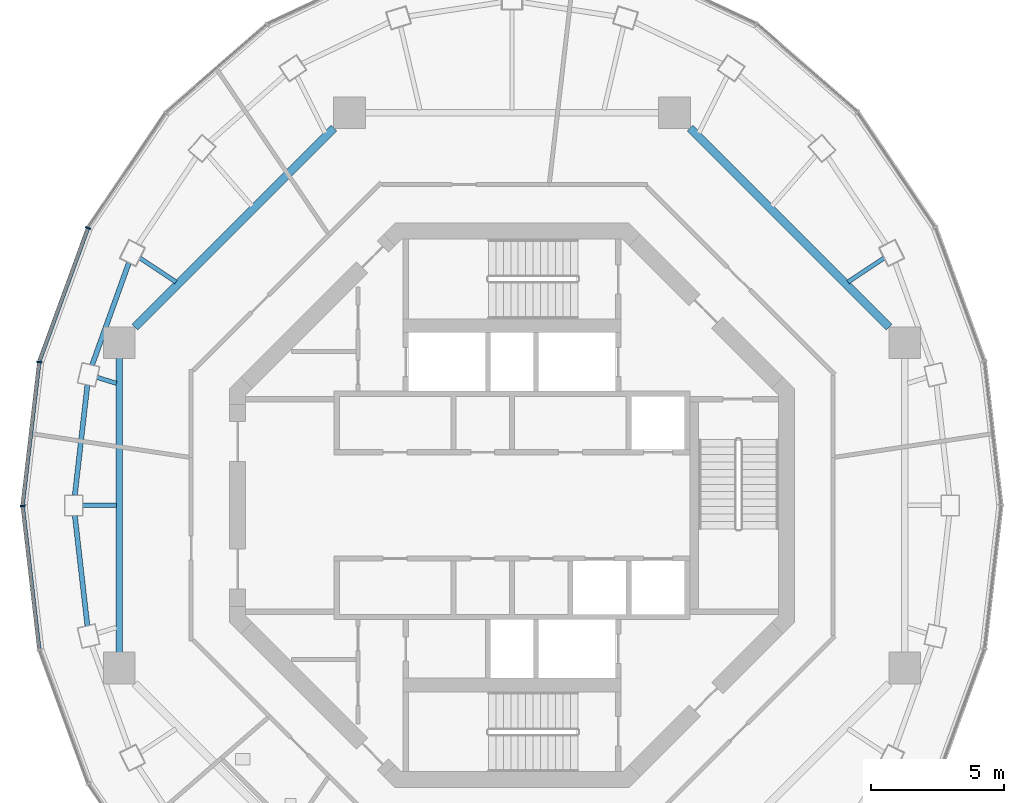
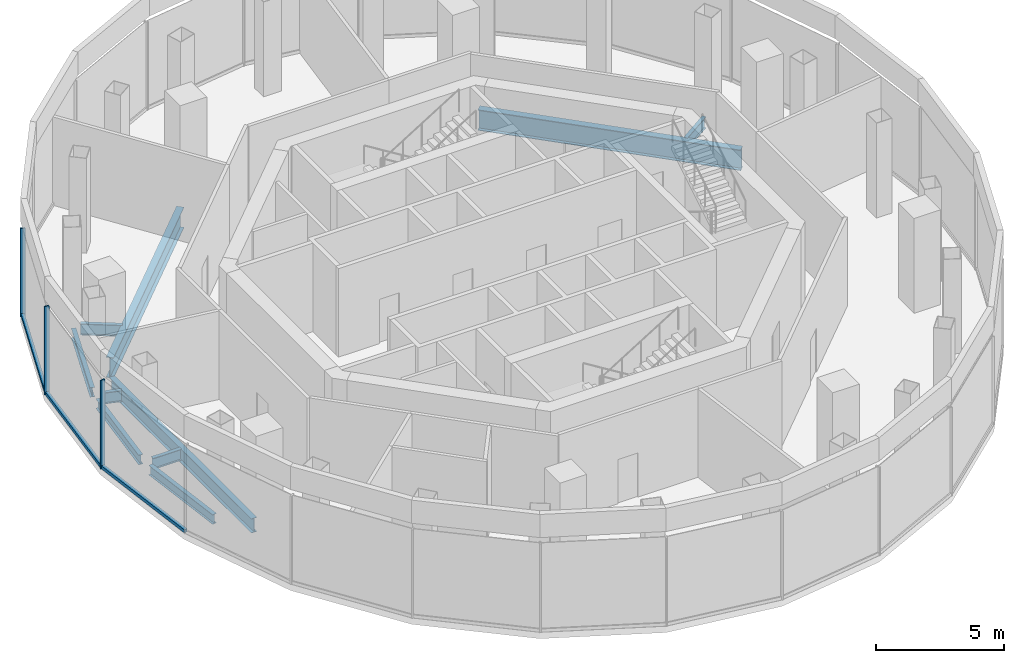
# One storey, part 3 of 11: 10 beams, 6 members, 3 elements without a shape of their own.
"""IFC4 building model written with IfcOpenShell, lengths in metres."""

import ifcopenshell
import ifcopenshell.guid

model = None  # the IFC model being written
_history = None  # IfcOwnerHistory: only IFC2X3 demands one
_inside = {}  # id of a spatial element -> (the spatial element, [elements in it])
_under = {}  # id of a project, library or spatial element -> (it, [spatial elements below it])
_declared = {}  # id of a project -> (the project, [libraries it declares])
_typed = {}  # id of a type object -> (the type object, [elements of that type])
_made_of = {}  # id of a material, layer set ... -> (it, [elements and type objects made of it])


def new_model(schema):
    """Start an empty IFC model of exactly this schema.

    Asked for "IFC4X3", IfcOpenShell would pick the latest addendum, in which some entities
    have other attributes; the version numbers below select the first issue.
    IFC2X3 requires an IfcOwnerHistory on every rooted entity: one is made here for all.
    """
    global model, _history
    if schema == "IFC4X3":
        model = ifcopenshell.file(schema_version=(4, 3, 0, 0))
    else:
        model = ifcopenshell.file(schema=schema)
    _inside.clear()
    _under.clear()
    _declared.clear()
    _typed.clear()
    _made_of.clear()
    _history = None
    if model.schema == "IFC2X3":
        org = make("IfcOrganization", Name="unknown")
        user = make(
            "IfcPersonAndOrganization",
            ThePerson=make("IfcPerson", FamilyName="unknown"),
            TheOrganization=org,
        )
        app = make(
            "IfcApplication",
            ApplicationDeveloper=org,
            Version="unknown",
            ApplicationFullName="unknown",
            ApplicationIdentifier="unknown",
        )
        _history = make(
            "IfcOwnerHistory",
            OwningUser=user,
            OwningApplication=app,
            ChangeAction="ADDED",
            CreationDate=0,
        )
    return model


def make(cls, **values):
    """One entity of the class cls with the attributes given. An attribute that is None is left unset."""
    return model.create_entity(
        cls, **{name: value for name, value in values.items() if value is not None}
    )


def rooted(cls, **values):
    """An entity with a GlobalId (a new one), such as an element, a storey or a relation."""
    return make(cls, GlobalId=ifcopenshell.guid.new(), OwnerHistory=_history, **values)


def si_unit(unit_type, name, prefix=None):
    """IfcSIUnit, for example si_unit("LENGTHUNIT", "METRE", prefix="MILLI")."""
    return make("IfcSIUnit", UnitType=unit_type, Prefix=prefix, Name=name)


def assignment(units):
    """IfcUnitAssignment: the units of a project."""
    return None if units is None else make("IfcUnitAssignment", Units=units)


def point(xyz):
    """IfcCartesianPoint."""
    return None if xyz is None else make("IfcCartesianPoint", Coordinates=xyz)


def direction(xyz):
    """IfcDirection."""
    return None if xyz is None else make("IfcDirection", DirectionRatios=xyz)


def frame(location, z_axis=None, x_axis=None):
    """IfcAxis2Placement3D, a coordinate frame: its origin and axes. An axis left out is left unset."""
    return make(
        "IfcAxis2Placement3D",
        Location=point(location),
        Axis=direction(z_axis),
        RefDirection=direction(x_axis),
    )


def frame_2d(location, x_axis=None):
    """IfcAxis2Placement2D, a coordinate frame in the plane: its origin and x axis."""
    return make(
        "IfcAxis2Placement2D", Location=point(location), RefDirection=direction(x_axis)
    )


def origin():
    """The frame at (0, 0, 0) with its axes left unset."""
    return frame((0.0, 0.0, 0.0))


def origin_2d():
    """The frame at (0, 0) in the plane with its x axis left unset."""
    return frame_2d((0.0, 0.0))


def place(relative_to, where):
    """IfcLocalPlacement: puts the frame where relative to a parent placement (None: the world)."""
    return make(
        "IfcLocalPlacement", PlacementRelTo=relative_to, RelativePlacement=where
    )


def context(
    kind, dimensions, precision=None, world=None, true_north=None, identifier=None
):
    """IfcGeometricRepresentationContext, for example the 3D "Model" context."""
    return make(
        "IfcGeometricRepresentationContext",
        ContextIdentifier=identifier,
        ContextType=kind,
        CoordinateSpaceDimension=dimensions,
        Precision=precision,
        WorldCoordinateSystem=world,
        TrueNorth=true_north,
    )


def subcontext(parent, identifier, kind, view, scale=None):
    """IfcGeometricRepresentationSubContext, for example "Body" below "Model"."""
    return make(
        "IfcGeometricRepresentationSubContext",
        ContextIdentifier=identifier,
        ContextType=kind,
        ParentContext=parent,
        TargetScale=scale,
        TargetView=view,
    )


def project(units=None, contexts=None):
    """IfcProject with its units and contexts."""
    return rooted(
        "IfcProject",
        Name="project",
        RepresentationContexts=contexts,
        UnitsInContext=assignment(units),
    )


def spatial(cls, under=None, at=None, **own):
    """A site, building, storey or space (cls), placed at a placement, below another one or the project."""
    s = rooted(cls, ObjectPlacement=at, **own)
    if under is not None:
        _under.setdefault(under.id(), (under, []))[1].append(s)
    return s


def profile(cls, at=None, kind="AREA", **sizes):
    """A parametric profile (cls). Its sizes go by their IFC names, for example OverallWidth=200.0."""
    return make(cls, ProfileType=kind, Position=at, **sizes)


def rectangle(**sizes):
    """IfcRectangleProfileDef."""
    return profile("IfcRectangleProfileDef", **sizes)


def i_section(**sizes):
    """IfcIShapeProfileDef."""
    return profile("IfcIShapeProfileDef", **sizes)


def extrude(swept, where, along, depth):
    """IfcExtrudedAreaSolid: the profile swept, set in the frame where, extruded along a direction by depth."""
    return make(
        "IfcExtrudedAreaSolid",
        SweptArea=swept,
        Position=where,
        ExtrudedDirection=direction(along),
        Depth=depth,
    )


def shape(context_of_items, identifier, shape_type, items):
    """IfcShapeRepresentation: the items that make up one representation, for example the "Body"."""
    return make(
        "IfcShapeRepresentation",
        ContextOfItems=context_of_items,
        RepresentationIdentifier=identifier,
        RepresentationType=shape_type,
        Items=items,
    )


def material(Name=None, Category=None):
    """IfcMaterial."""
    return make("IfcMaterial", Name=Name, Category=Category)


def layer(
    of_material, thickness, ventilated=None, Name=None, Category=None, Priority=None
):
    """IfcMaterialLayer: one layer of a wall or slab, of a material (None: an air gap)."""
    return make(
        "IfcMaterialLayer",
        Material=of_material,
        LayerThickness=thickness,
        IsVentilated=ventilated,
        Name=Name,
        Category=Category,
        Priority=Priority,
    )


def layer_set(layers, Name=None):
    """IfcMaterialLayerSet."""
    return make("IfcMaterialLayerSet", MaterialLayers=layers, LayerSetName=Name)


def material_profile(
    of_material, cross_section, Name=None, Category=None, Priority=None
):
    """IfcMaterialProfile: a cross section and its material."""
    return make(
        "IfcMaterialProfile",
        Name=Name,
        Material=of_material,
        Profile=cross_section,
        Priority=Priority,
        Category=Category,
    )


def profile_set(profiles, Name=None, composite=None):
    """IfcMaterialProfileSet."""
    return make(
        "IfcMaterialProfileSet",
        Name=Name,
        MaterialProfiles=profiles,
        CompositeProfile=composite,
    )


def made_of(thing, what):
    """Note that an element or type object is made of a material, layer set ...; save() writes the relation."""
    if what is not None:
        _made_of.setdefault(what.id(), (what, []))[1].append(thing)
    return thing


def type_object(cls, material=None, **own):
    """A type object (cls), such as IfcWallType, which elements share."""
    return made_of(rooted(cls, **own), material)


def element(
    cls,
    number,
    at=None,
    inside=None,
    cuts=None,
    type_object=None,
    material=None,
    context=None,
    identifier="Body",
    shape_type=None,
    held_by="IfcProductDefinitionShape",
    body=None,
    shapes=None,
    **own,
):
    """One element of the class cls, such as IfcWall. Its Tag is "e" and its number.

    at: its placement. inside: the storey or other place that contains it. cuts: it is an
    opening in that element (IfcRelVoidsElement). A single representation is given by context,
    identifier, shape_type and body (its items); several are given by shapes. held_by: the class
    of the entity that holds the representations. save() writes the other relations.
    """
    e = rooted(cls, Tag="e%d" % number, ObjectPlacement=at, **own)
    if body is not None:
        shapes = [shape(context, identifier, shape_type, body)]
    if shapes is not None:
        e.Representation = make(held_by, Representations=shapes)
    if inside is not None:
        _inside.setdefault(inside.id(), (inside, []))[1].append(e)
    if cuts is not None:
        rooted(
            "IfcRelVoidsElement", RelatingBuildingElement=cuts, RelatedOpeningElement=e
        )
    if type_object is not None:
        _typed.setdefault(type_object.id(), (type_object, []))[1].append(e)
    return made_of(e, material)


def aggregate(whole, parts):
    """IfcRelAggregates: a whole, such as a stair, and the parts it consists of."""
    return rooted("IfcRelAggregates", RelatingObject=whole, RelatedObjects=parts)


def save(model, path):
    """Write the relations noted so far, then the file.

    IfcRelAggregates (storeys below a building ...), IfcRelContainedInSpatialStructure (elements
    in a storey), IfcRelDefinesByType, IfcRelAssociatesMaterial and IfcRelDeclares: one each for
    every whole, place, type object, material and project.
    """
    for whole, parts in _under.values():
        aggregate(whole, parts)
    for where, things in _inside.values():
        rooted(
            "IfcRelContainedInSpatialStructure",
            RelatedElements=things,
            RelatingStructure=where,
        )
    for kind, things in _typed.values():
        rooted("IfcRelDefinesByType", RelatedObjects=things, RelatingType=kind)
    for what, things in _made_of.values():
        rooted("IfcRelAssociatesMaterial", RelatedObjects=things, RelatingMaterial=what)
    for by, libraries in _declared.values():
        rooted("IfcRelDeclares", RelatingContext=by, RelatedDefinitions=libraries)
    model.write(path)


model = new_model("IFC4")

# Units and contexts
model_context = context("Model", 3, precision=1e-05, world=origin(), true_north=direction((0.0, 1.0)))
body_context = subcontext(model_context, "Body", "Model", "MODEL_VIEW")
ifc_project = project(units=[si_unit("LENGTHUNIT", "METRE"), si_unit("AREAUNIT", "SQUARE_METRE"), si_unit("VOLUMEUNIT", "CUBIC_METRE"), si_unit("PLANEANGLEUNIT", "RADIAN"), si_unit("MASSUNIT", "GRAM", prefix="KILO")], contexts=[model_context])

# Site, building, storey
site_placement = place(None, origin())
site = spatial("IfcSite", under=ifc_project, at=site_placement, CompositionType="ELEMENT")
building_placement = place(site_placement, origin())
building = spatial("IfcBuilding", under=site, at=building_placement, Name="Nagisa Residences", CompositionType="ELEMENT")
storey_placement = place(building_placement, frame((0.0, 0.0, 320.39990234375)))
storey = spatial("IfcBuildingStorey", under=building, at=storey_placement, Name="L79", CompositionType="ELEMENT", Elevation=320.39990234375)

# Curtain wall, member
ifc_material_1 = material(Name="Aluminium curtain wall system", Category="aluminium")
ifc_layer = layer(ifc_material_1, 0.159912109375)
ifc_layer_set = layer_set([ifc_layer], Name="CW4 CURTAIN WALL")
curtain_wall_type = type_object("IfcCurtainWallType", Name="CW4 CURTAIN WALL", PredefinedType="NOTDEFINED", material=ifc_layer_set)
curtain_wall_1_placement = place(storey_placement, origin())
curtain_wall_1 = element("IfcCurtainWall", 1, at=curtain_wall_1_placement, inside=storey, type_object=curtain_wall_type, Name="cw:CW4:L79:10", PredefinedType="NOTDEFINED")
ifc_material_2 = material(Name="Aluminium", Category="aluminium")
ifc_material_profile_1 = material_profile(ifc_material_2, rectangle(XDim=0.199951171875, YDim=0.06005859375, at=origin_2d()), Name="CW4 MULLION 200x60")
ifc_profile_set_1 = profile_set([ifc_material_profile_1], Name="Aluminium")
member_type_1 = type_object("IfcMemberType", Name="CW4 MULLION 200x60", PredefinedType="MULLION", material=ifc_profile_set_1)
member_1_placement = place(storey_placement, frame((-15.95654296875, 10.4443359375, 0.0), z_axis=(0.0, 0.0, 1.0), x_axis=(0.939410855128, -0.342793298167, 0.0)))
member_1 = element("IfcMember", 2, at=member_1_placement, type_object=member_type_1, Name="CW4 mullion", PredefinedType="MULLION", context=body_context, shape_type="SweptSolid", body=[
    extrude(rectangle(XDim=0.199951171875, YDim=0.06005859375, at=origin_2d()), origin(), (0.0, 0.0, 1.0), 4.2001953125),
])

curtain_wall_2_placement = place(storey_placement, origin())
curtain_wall_2 = element("IfcCurtainWall", 3, at=curtain_wall_2_placement, inside=storey, type_object=curtain_wall_type, Name="cw:CW4:L79:11", PredefinedType="NOTDEFINED")
member_2_placement = place(storey_placement, frame((-17.793701171875, 5.396240234375, 0.0), z_axis=(0.0, 0.0, 1.0), x_axis=(0.993341467827, -0.115207327437, 0.0)))
member_2 = element("IfcMember", 4, at=member_2_placement, type_object=member_type_1, Name="CW4 mullion", PredefinedType="MULLION", context=body_context, shape_type="SweptSolid", body=[
    extrude(rectangle(XDim=0.199951171875, YDim=0.06005859375, at=origin_2d()), origin(), (0.0, 0.0, 1.0), 4.2001953125),
])

curtain_wall_3_placement = place(storey_placement, origin())
curtain_wall_3 = element("IfcCurtainWall", 5, at=curtain_wall_3_placement, inside=storey, type_object=curtain_wall_type, Name="cw:CW4:L79:12", PredefinedType="NOTDEFINED")
member_3_placement = place(storey_placement, frame((-18.4169921875, -0.0205078125, 0.0), z_axis=(0.0, 0.0, 1.0), x_axis=(0.993341467827, 0.115207327437, 0.0)))
member_3 = element("IfcMember", 6, at=member_3_placement, type_object=member_type_1, Name="CW4 mullion", PredefinedType="MULLION", context=body_context, shape_type="SweptSolid", body=[
    extrude(rectangle(XDim=0.199951171875, YDim=0.06005859375, at=origin_2d()), origin(), (0.0, 0.0, 1.0), 4.2001953125),
])

# Member
ifc_material_3 = material(Name="Aluminium", Category="aluminium")
ifc_material_profile_2 = material_profile(ifc_material_3, rectangle(XDim=0.139892578125, YDim=0.14990234375, at=origin_2d()), Name="CW4 TRANSOM 140x150")
ifc_profile_set_2 = profile_set([ifc_material_profile_2], Name="Aluminium")
member_type_2 = type_object("IfcMemberType", Name="CW4 TRANSOM 140x150", PredefinedType="USERDEFINED", material=ifc_profile_set_2)
member_4_placement = place(storey_placement, frame((-15.9462890625, 10.47265625, 0.0751953125), z_axis=(-0.34278268103, -0.939414729279, 0.0), x_axis=(0.939414729279, -0.34278268103, 0.0)))
member_4 = element("IfcMember", 7, at=member_4_placement, type_object=member_type_2, Name="CW4 transom", ObjectType="TRANSOM", PredefinedType="USERDEFINED", context=body_context, shape_type="SweptSolid", body=[
    extrude(rectangle(XDim=0.139892578125, YDim=0.14990234375, at=origin_2d()), origin(), (0.0, 0.0, 1.0), 5.3916015625),
])

aggregate(curtain_wall_1, [member_1, member_4])

member_5_placement = place(storey_placement, frame((-17.7900390625, 5.426025390625, 0.0751953125), z_axis=(-0.115249001686, -0.993336633579, 0.0), x_axis=(0.993336633579, -0.115249001686, 0.0)))
member_5 = element("IfcMember", 8, at=member_5_placement, type_object=member_type_2, Name="CW4 transom", ObjectType="TRANSOM", PredefinedType="USERDEFINED", context=body_context, shape_type="SweptSolid", body=[
    extrude(rectangle(XDim=0.139892578125, YDim=0.14990234375, at=origin_2d()), origin(), (0.0, 0.0, 1.0), 5.4716796875),
])

aggregate(curtain_wall_2, [member_2, member_5])

member_6_placement = place(storey_placement, frame((-18.420654296875, 0.00927734375, 0.0751953125), z_axis=(0.115249001686, -0.993336633579, 0.0), x_axis=(0.993336633579, 0.115249001686, 0.0)))
member_6 = element("IfcMember", 9, at=member_6_placement, type_object=member_type_2, Name="CW4 transom", ObjectType="TRANSOM", PredefinedType="USERDEFINED", context=body_context, shape_type="SweptSolid", body=[
    extrude(rectangle(XDim=0.139892578125, YDim=0.14990234375, at=origin_2d()), origin(), (0.0, 0.0, 1.0), 5.4716796875),
])

aggregate(curtain_wall_3, [member_3, member_6])

# Beams
ifc_material_4 = material(Name="Steel ASTM A572 Gr 50", Category="steel")
ifc_material_profile_3 = material_profile(ifc_material_4, i_section(OverallWidth=0.300048828125, OverallDepth=0.97998046875, WebThickness=0.0166015625, FlangeThickness=0.02587890625, at=origin_2d()), Name="W1000x249")
ifc_profile_set_3 = profile_set([ifc_material_profile_3], Name="Steel ASTM A572 Gr 50")
beam_type_1 = type_object("IfcBeamType", Name="Inner ring beam W1000x249", PredefinedType="BEAM", material=ifc_profile_set_3)
for number, where, z_axis, x_axis, name in (
    (10, (14.1962890625, 6.708740234375, -0.789794921875), (-0.707106781187, 0.707106781187, 0.0), (-0.707106781187, -0.707106781187, 0.0), "beam:L79:ib1"),
    (11, (-6.708740234375, 14.1962890625, -0.789794921875), (-0.707106781187, -0.707106781187, 0.0), (0.707106781187, -0.707106781187, 0.0), "beam:L79:ib3"),
):
    element("IfcBeam", number, at=place(storey_placement, frame(where, z_axis=z_axis, x_axis=x_axis)), inside=storey, type_object=beam_type_1, Name=name, PredefinedType="BEAM", context=body_context, shape_type="SweptSolid", body=[
        extrude(i_section(OverallWidth=0.300048828125, OverallDepth=0.97998046875, WebThickness=0.0166015625, FlangeThickness=0.02587890625, at=origin_2d()), origin(), (0.0, 0.0, 1.0), 10.589111328125),
    ])
ifc_material_5 = material(Name="Steel ASTM A572 Gr 50", Category="steel")
ifc_material_profile_4 = material_profile(ifc_material_5, i_section(OverallWidth=0.2529296875, OverallDepth=0.677978515625, WebThickness=0.01171875, FlangeThickness=0.016357421875, at=origin_2d()), Name="W690x125")
ifc_profile_set_4 = profile_set([ifc_material_profile_4], Name="Steel ASTM A572 Gr 50")
beam_type_2 = type_object("IfcBeamType", Name="Inner ring beam W690x125", PredefinedType="BEAM", material=ifc_profile_set_4)
beam_1_placement = place(storey_placement, frame((-14.781982421875, 5.54296875, -0.638916015625), z_axis=(0.0, -1.0, 0.0), x_axis=(1.0, 0.0, 0.0)))
element("IfcBeam", 12, at=beam_1_placement, inside=storey, type_object=beam_type_2, Name="beam:L79:ib4", PredefinedType="BEAM", context=body_context, shape_type="SweptSolid", body=[
    extrude(i_section(OverallWidth=0.2529296875, OverallDepth=0.677978515625, WebThickness=0.01171875, FlangeThickness=0.016357421875, at=origin_2d()), origin(), (0.0, 0.0, 1.0), 11.0859375),
])
ifc_material_6 = material(Name="Steel ASTM A572 Gr 50", Category="steel")
ifc_material_profile_5 = material_profile(ifc_material_6, i_section(OverallWidth=0.18994140625, OverallDepth=0.45703125, WebThickness=0.009033203125, FlangeThickness=0.014404296875, at=origin_2d()), Name="W460x74")
ifc_profile_set_5 = profile_set([ifc_material_profile_5], Name="Steel ASTM A572 Gr 50")
beam_type_3 = type_object("IfcBeamType", Name="Perimeter ring beam W460x74", PredefinedType="BEAM", material=ifc_profile_set_5)
beam_2_placement = place(storey_placement, frame((-14.4189453125, 9.1396484375, -0.5283203125), z_axis=(-0.338517252251, -0.940960185092, 0.0), x_axis=(0.940960185092, -0.338517252251, 0.0)))
element("IfcBeam", 13, at=beam_2_placement, inside=storey, type_object=beam_type_3, Name="beam:L79:pb11", PredefinedType="BEAM", context=body_context, shape_type="SweptSolid", body=[
    extrude(i_section(OverallWidth=0.18994140625, OverallDepth=0.45703125, WebThickness=0.009033203125, FlangeThickness=0.014404296875, at=origin_2d()), origin(), (0.0, 0.0, 1.0), 4.1044921875),
])
for number, where, z_axis, x_axis, name in (
    (14, (-15.981201171875, 4.537353515625, -0.5283203125), (-0.113600894263, -0.993526465084, 0.0), (0.993526465084, -0.113600894263, 0.0), "beam:L79:pb12"),
    (15, (-16.45654296875, -0.380126953125, -0.5283203125), (0.113600894263, -0.993526465084, 0.0), (0.993526465084, 0.113600894263, 0.0), "beam:L79:pb13"),
):
    element("IfcBeam", number, at=place(storey_placement, frame(where, z_axis=z_axis, x_axis=x_axis)), inside=storey, type_object=beam_type_3, Name=name, PredefinedType="BEAM", context=body_context, shape_type="SweptSolid", body=[
        extrude(i_section(OverallWidth=0.18994140625, OverallDepth=0.45703125, WebThickness=0.009033203125, FlangeThickness=0.014404296875, at=origin_2d()), origin(), (0.0, 0.0, 1.0), 4.184326171875),
    ])
ifc_material_7 = material(Name="Steel ASTM A572 Gr 50", Category="steel")
ifc_material_profile_6 = material_profile(ifc_material_7, i_section(OverallWidth=0.166015625, OverallDepth=0.534912109375, WebThickness=0.01025390625, FlangeThickness=0.0166015625, at=origin_2d()), Name="W530x85")
ifc_profile_set_6 = profile_set([ifc_material_profile_6], Name="Steel ASTM A572 Gr 50")
beam_type_4 = type_object("IfcBeamType", Name="Radial beam W530x85", PredefinedType="BEAM", material=ifc_profile_set_6)
for number, where, z_axis, x_axis, name in (
    (16, (14.012451171875, 9.31591796875, -0.5673828125), (-0.832714310154, -0.553702878505, 0.0), (0.553702878505, -0.832714310154, 0.0), "beam:L79:rb03"),
    (17, (-14.012451171875, 9.31591796875, -0.5673828125), (0.832714310154, -0.553702878505, 0.0), (0.553702878505, 0.832714310154, 0.0), "beam:L79:rb11"),
):
    element("IfcBeam", number, at=place(storey_placement, frame(where, z_axis=z_axis, x_axis=x_axis)), inside=storey, type_object=beam_type_4, Name=name, PredefinedType="BEAM", context=body_context, shape_type="SweptSolid", body=[
        extrude(i_section(OverallWidth=0.166015625, OverallDepth=0.534912109375, WebThickness=0.01025390625, FlangeThickness=0.0166015625, at=origin_2d()), origin(), (0.0, 0.0, 1.0), 1.638916015625),
    ])
beam_3_placement = place(storey_placement, frame((-15.62158203125, 4.820068359375, -0.5673828125), z_axis=(0.955489220567, -0.295026014753, 0.0), x_axis=(0.295026014753, 0.955489220567, 0.0)))
element("IfcBeam", 18, at=beam_3_placement, inside=storey, type_object=beam_type_4, Name="beam:L79:rb12", PredefinedType="BEAM", context=body_context, shape_type="SweptSolid", body=[
    extrude(i_section(OverallWidth=0.166015625, OverallDepth=0.534912109375, WebThickness=0.01025390625, FlangeThickness=0.0166015625, at=origin_2d()), origin(), (0.0, 0.0, 1.0), 0.766357421875),
])
beam_4_placement = place(storey_placement, frame((-16.169921875, 0.0, -0.5673828125), z_axis=(1.0, 0.0, 0.0), x_axis=(0.0, 1.0, 0.0)))
element("IfcBeam", 19, at=beam_4_placement, inside=storey, type_object=beam_type_4, Name="beam:L79:rb13", PredefinedType="BEAM", context=body_context, shape_type="SweptSolid", body=[
    extrude(i_section(OverallWidth=0.166015625, OverallDepth=0.534912109375, WebThickness=0.01025390625, FlangeThickness=0.0166015625, at=origin_2d()), origin(), (0.0, 0.0, 1.0), 1.28125),
])

save(model, "model.ifc")
